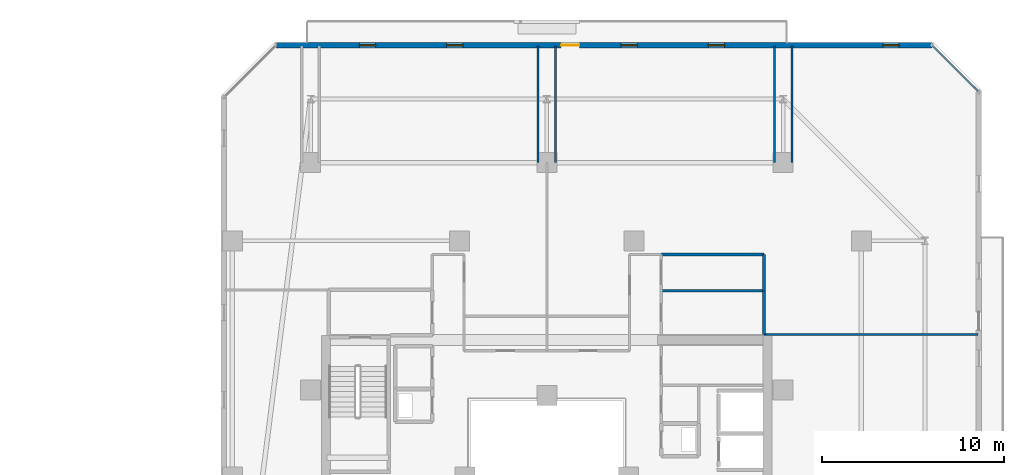
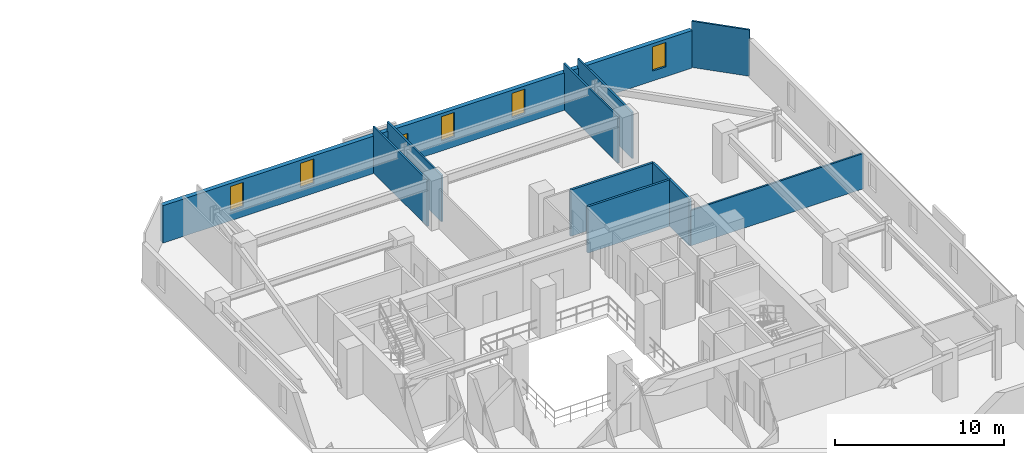
# One storey, part 26 of 33: 11 walls, 5 windows, 1 door, 6 openings.
"""IFC4 building model written with IfcOpenShell, lengths in metres."""

from ifc_helpers import new_model, si_unit, direction, frame, frame_2d, origin, place, context, subcontext, project, spatial, rectangle, extrude, material, layer, layer_set, type_object, element, fill, save


model = new_model("IFC4")

# Units and contexts
model_context = context("Model", 3, precision=1e-05, world=origin(), true_north=direction((0.0, 1.0)))
body_context = subcontext(model_context, "Body", "Model", "MODEL_VIEW")
ifc_project = project(units=[si_unit("LENGTHUNIT", "METRE"), si_unit("AREAUNIT", "SQUARE_METRE"), si_unit("VOLUMEUNIT", "CUBIC_METRE"), si_unit("PLANEANGLEUNIT", "RADIAN"), si_unit("MASSUNIT", "GRAM", prefix="KILO")], contexts=[model_context])

# Site, building, storey
site_placement = place(None, origin())
site = spatial("IfcSite", under=ifc_project, at=site_placement, CompositionType="ELEMENT")
building_placement = place(site_placement, origin())
building = spatial("IfcBuilding", under=site, at=building_placement, Name="Thornwick Lancets Civic Towers", CompositionType="ELEMENT")
storey_placement = place(building_placement, frame((0.0, 0.0, 167.10009765625)))
storey = spatial("IfcBuildingStorey", under=building, at=storey_placement, Name="L44", CompositionType="ELEMENT", Elevation=167.10009765625)

# Wall, openings, door, windows
ifc_material_1 = material(Name="Insulated russet terracotta rainscreen on concrete C40/50", Category="masonry")
ifc_layer_1 = layer(ifc_material_1, 0.300048828125, Name="Insulated russet terracotta rainscreen on concrete C40/50")
ifc_layer_set_1 = layer_set([ifc_layer_1], Name="Insulated russet terracotta rainscreen on concrete C40/50")
wall_type_1 = type_object("IfcWallType", Name="WALL_EXT_RUSSET_300", PredefinedType="STANDARD", material=ifc_layer_set_1)
wall_1_placement = place(storey_placement, frame((109.681396484375, 50.7646484375, 0.0), z_axis=(0.0, 0.0, 1.0), x_axis=(-0.999999999634, -2.7061402e-05, 0.0)))
wall_1 = element("IfcWall", 1, at=wall_1_placement, inside=storey, type_object=wall_type_1, Name="L44 Tower B Terracotta Facade Wall E4", PredefinedType="STANDARD", context=body_context, shape_type="SweptSolid", body=[
    extrude(rectangle(XDim=36.0869140625, YDim=0.300048828125, at=frame_2d((18.04345703125, 0.0))), origin(), (0.0, 0.0, 1.0), 2.699951171875),
])
opening_1_placement = place(wall_1_placement, frame((19.393310546875, 0.0, 0.0)))
opening_1 = element("IfcOpeningElement", 2, at=opening_1_placement, cuts=wall_1, Name="Opening D-BL-L44-BN", PredefinedType="OPENING", context=body_context, shape_type="SweptSolid", body=[
    extrude(rectangle(XDim=1.0, YDim=2.080078125, at=frame_2d((0.5, 1.0400390625))), frame((0.0, 0.16015625, 0.0), z_axis=(0.0, -1.0, 0.0), x_axis=(1.0, 0.0, 0.0)), (0.0, 0.0, 1.0), 0.320068359375),
])
opening_2_placement = place(wall_1_placement, frame((1.800048828125, 0.0, 0.719970703125)))
opening_2 = element("IfcOpeningElement", 3, at=opening_2_placement, cuts=wall_1, Name="Opening WL-01", PredefinedType="OPENING", context=body_context, shape_type="SweptSolid", body=[
    extrude(rectangle(XDim=0.89990234375, YDim=1.75, at=frame_2d((0.449951171875, 0.875))), frame((0.0, 0.16015625, 0.0), z_axis=(0.0, -1.0, 0.0), x_axis=(1.0, 0.0, 0.0)), (0.0, 0.0, 1.0), 0.320068359375),
])
opening_3_placement = place(wall_1_placement, frame((11.39990234375, 0.0, 0.719970703125)))
opening_3 = element("IfcOpeningElement", 4, at=opening_3_placement, cuts=wall_1, Name="Opening WL-01", PredefinedType="OPENING", context=body_context, shape_type="SweptSolid", body=[
    extrude(rectangle(XDim=0.89990234375, YDim=1.75, at=frame_2d((0.449951171875, 0.875))), frame((0.0, 0.16015625, 0.0), z_axis=(0.0, -1.0, 0.0), x_axis=(1.0, 0.0, 0.0)), (0.0, 0.0, 1.0), 0.320068359375),
])
opening_4_placement = place(wall_1_placement, frame((16.199951171875, 0.0, 0.719970703125)))
opening_4 = element("IfcOpeningElement", 5, at=opening_4_placement, cuts=wall_1, Name="Opening WL-01", PredefinedType="OPENING", context=body_context, shape_type="SweptSolid", body=[
    extrude(rectangle(XDim=0.89990234375, YDim=1.75, at=frame_2d((0.449951171875, 0.875))), frame((0.0, 0.16015625, 0.0), z_axis=(0.0, -1.0, 0.0), x_axis=(1.0, 0.0, 0.0)), (0.0, 0.0, 1.0), 0.320068359375),
])
opening_5_placement = place(wall_1_placement, frame((25.800048828125, 0.0, 0.719970703125)))
opening_5 = element("IfcOpeningElement", 6, at=opening_5_placement, cuts=wall_1, Name="Opening WL-01", PredefinedType="OPENING", context=body_context, shape_type="SweptSolid", body=[
    extrude(rectangle(XDim=0.89990234375, YDim=1.75, at=frame_2d((0.449951171875, 0.875))), frame((0.0, 0.16015625, 0.0), z_axis=(0.0, -1.0, 0.0), x_axis=(1.0, 0.0, 0.0)), (0.0, 0.0, 1.0), 0.320068359375),
])
opening_6_placement = place(wall_1_placement, frame((30.60009765625, 0.0, 0.719970703125)))
opening_6 = element("IfcOpeningElement", 7, at=opening_6_placement, cuts=wall_1, Name="Opening WL-01", PredefinedType="OPENING", context=body_context, shape_type="SweptSolid", body=[
    extrude(rectangle(XDim=0.89990234375, YDim=1.75, at=frame_2d((0.449951171875, 0.875))), frame((0.0, 0.16015625, 0.0), z_axis=(0.0, -1.0, 0.0), x_axis=(1.0, 0.0, 0.0)), (0.0, 0.0, 1.0), 0.320068359375),
])
ifc_material_2 = material(Name="Thermally broken glazed loggia doorset")
door_type = type_object("IfcDoorType", Name="DOOR_BALC_1000", OperationType="NOTDEFINED", PredefinedType="DOOR", material=ifc_material_2)
door_placement = place(opening_1_placement, origin())
door = element("IfcDoor", 8, at=door_placement, inside=storey, type_object=door_type, Name="L44 Tower B Loggia Balcony Door N", OperationType="SINGLE_SWING_LEFT", OverallHeight=2.080078125, OverallWidth=1.0, PredefinedType="DOOR", context=body_context, shape_type="SweptSolid", body=[
    extrude(rectangle(XDim=1.0, YDim=2.080078125, at=frame_2d((0.5, 1.0400390625))), frame((0.0, 0.02490234375, 0.0), z_axis=(0.0, -1.0, 0.0), x_axis=(1.0, 0.0, 0.0)), (0.0, 0.0, 1.0), 0.050048828125),
])
fill(opening_1, door)
ifc_material_3 = material(Name="Clear low-e double glazing in bronze frame", Category="glass")
window_type = type_object("IfcWindowType", Name="WIN_LANCET_900", PartitioningType="SINGLE_PANEL", PredefinedType="WINDOW", material=ifc_material_3)
window_1_placement = place(opening_2_placement, origin())
window_1 = element("IfcWindow", 9, at=window_1_placement, inside=storey, type_object=window_type, Name="L44 Tower B Staggered Lancet Window E4-1", OverallHeight=1.75, OverallWidth=0.89990234375, PartitioningType="SINGLE_PANEL", PredefinedType="WINDOW", context=body_context, shape_type="SweptSolid", body=[
    extrude(rectangle(XDim=0.89990234375, YDim=1.75, at=frame_2d((0.449951171875, 0.875))), frame((0.0, 0.030029296875, 0.0), z_axis=(0.0, -1.0, 0.0), x_axis=(1.0, 0.0, 0.0)), (0.0, 0.0, 1.0), 0.06005859375),
])
fill(opening_2, window_1)
window_2_placement = place(opening_3_placement, origin())
window_2 = element("IfcWindow", 10, at=window_2_placement, inside=storey, type_object=window_type, Name="L44 Tower B Staggered Lancet Window E4-2", OverallHeight=1.75, OverallWidth=0.89990234375, PartitioningType="SINGLE_PANEL", PredefinedType="WINDOW", context=body_context, shape_type="SweptSolid", body=[
    extrude(rectangle(XDim=0.89990234375, YDim=1.75, at=frame_2d((0.449951171875, 0.875))), frame((0.0, 0.030029296875, 0.0), z_axis=(0.0, -1.0, 0.0), x_axis=(1.0, 0.0, 0.0)), (0.0, 0.0, 1.0), 0.06005859375),
])
fill(opening_3, window_2)
window_3_placement = place(opening_4_placement, origin())
window_3 = element("IfcWindow", 11, at=window_3_placement, inside=storey, type_object=window_type, Name="L44 Tower B Staggered Lancet Window E4-3", OverallHeight=1.75, OverallWidth=0.89990234375, PartitioningType="SINGLE_PANEL", PredefinedType="WINDOW", context=body_context, shape_type="SweptSolid", body=[
    extrude(rectangle(XDim=0.89990234375, YDim=1.75, at=frame_2d((0.449951171875, 0.875))), frame((0.0, 0.030029296875, 0.0), z_axis=(0.0, -1.0, 0.0), x_axis=(1.0, 0.0, 0.0)), (0.0, 0.0, 1.0), 0.06005859375),
])
fill(opening_4, window_3)
window_4_placement = place(opening_5_placement, origin())
window_4 = element("IfcWindow", 12, at=window_4_placement, inside=storey, type_object=window_type, Name="L44 Tower B Staggered Lancet Window E4-4", OverallHeight=1.75, OverallWidth=0.89990234375, PartitioningType="SINGLE_PANEL", PredefinedType="WINDOW", context=body_context, shape_type="SweptSolid", body=[
    extrude(rectangle(XDim=0.89990234375, YDim=1.75, at=frame_2d((0.449951171875, 0.875))), frame((0.0, 0.030029296875, 0.0), z_axis=(0.0, -1.0, 0.0), x_axis=(1.0, 0.0, 0.0)), (0.0, 0.0, 1.0), 0.06005859375),
])
fill(opening_5, window_4)
window_5_placement = place(opening_6_placement, origin())
window_5 = element("IfcWindow", 13, at=window_5_placement, inside=storey, type_object=window_type, Name="L44 Tower B Staggered Lancet Window E4-5", OverallHeight=1.75, OverallWidth=0.89990234375, PartitioningType="SINGLE_PANEL", PredefinedType="WINDOW", context=body_context, shape_type="SweptSolid", body=[
    extrude(rectangle(XDim=0.89990234375, YDim=1.75, at=frame_2d((0.449951171875, 0.875))), frame((0.0, 0.030029296875, 0.0), z_axis=(0.0, -1.0, 0.0), x_axis=(1.0, 0.0, 0.0)), (0.0, 0.0, 1.0), 0.06005859375),
])
fill(opening_6, window_5)

# Walls
ifc_material_4 = material(Name="Acoustic gypsum board partition")
ifc_layer_2 = layer(ifc_material_4, 0.1201171875, Name="Acoustic gypsum board partition")
ifc_layer_set_2 = layer_set([ifc_layer_2], Name="Acoustic gypsum board partition")
wall_type_2 = type_object("IfcWallType", Name="WALL_PART_120", PredefinedType="PARTITIONING", material=ifc_layer_set_2)
for number, where, z_axis, x_axis, name in (
    (14, (88.97998046875, 44.300048828125, 0.0), (0.0, 0.0, 1.0), (0.0, 1.0, 0.0), "L44 Partition L44-B-E2 E9"),
    (15, (101.02001953125, 50.719970703125, 0.0), (0.0, 0.0, 1.0), (0.0, -1.0, 0.0), "L44 Partition L44-B-E2 E11"),
    (16, (101.97998046875, 44.300048828125, 0.0), (0.0, 0.0, 1.0), (0.0, 1.0, 0.0), "L44 Partition L44-B-E2 E13"),
):
    element("IfcWall", number, at=place(storey_placement, frame(where, z_axis=z_axis, x_axis=x_axis)), inside=storey, type_object=wall_type_2, Name=name, PredefinedType="PARTITIONING", context=body_context, shape_type="SweptSolid", body=[
        extrude(rectangle(XDim=6.419921875, YDim=0.1201171875, at=frame_2d((3.2099609375, 0.0))), origin(), (0.0, 0.0, 1.0), 3.33984375),
    ])
wall_2_placement = place(storey_placement, frame((109.725341796875, 50.719970703125, 0.0), z_axis=(0.0, 0.0, 1.0), x_axis=(0.707106781187, -0.707106781187, 0.0)))
element("IfcWall", 17, at=wall_2_placement, inside=storey, type_object=wall_type_2, Name="L44 Partition L44-B-E2 E15", PredefinedType="PARTITIONING", context=body_context, shape_type="SweptSolid", body=[
    extrude(rectangle(XDim=3.52783203125, YDim=0.1201171875, at=frame_2d((1.763916015625, 0.0))), origin(), (0.0, 0.0, 1.0), 3.33984375),
])
wall_3_placement = place(storey_placement, frame((112.219970703125, 34.85009765625, 0.0), z_axis=(0.0, 0.0, 1.0), x_axis=(-1.0, 0.0, 0.0)))
element("IfcWall", 18, at=wall_3_placement, inside=storey, type_object=wall_type_2, Name="L44 Partition L44-B-E2 E17", PredefinedType="PARTITIONING", context=body_context, shape_type="SweptSolid", body=[
    extrude(rectangle(XDim=11.77001953125, YDim=0.1201171875, at=frame_2d((5.885009765625, 0.0))), origin(), (0.0, 0.0, 1.0), 2.544921875),
])
wall_4_placement = place(storey_placement, frame((88.02001953125, 50.719970703125, 0.0), z_axis=(0.0, 0.0, 1.0), x_axis=(0.0, -1.0, 0.0)))
element("IfcWall", 19, at=wall_4_placement, inside=storey, type_object=wall_type_2, Name="L44 Partition L44-B-E4 E18", PredefinedType="PARTITIONING", context=body_context, shape_type="SweptSolid", body=[
    extrude(rectangle(XDim=6.419921875, YDim=0.1201171875, at=frame_2d((3.2099609375, 0.0))), origin(), (0.0, 0.0, 1.0), 3.33984375),
])
ifc_material_5 = material(Name="Twin-stud acoustic gypsum board")
ifc_layer_3 = layer(ifc_material_5, 0.14990234375, Name="Twin-stud acoustic gypsum board")
ifc_layer_set_3 = layer_set([ifc_layer_3], Name="Twin-stud acoustic gypsum board")
wall_type_3 = type_object("IfcWallType", Name="WALL_PART_150", PredefinedType="PARTITIONING", material=ifc_layer_set_3)
wall_5_placement = place(storey_placement, frame((100.449951171875, 37.25, 0.0), z_axis=(0.0, 0.0, 1.0), x_axis=(0.0, -1.0, 0.0)))
element("IfcWall", 20, at=wall_5_placement, inside=storey, type_object=wall_type_3, Name="L44 Partition L44-B-RECLAIM-L1 E1", PredefinedType="PARTITIONING", context=body_context, shape_type="SweptSolid", body=[
    extrude(rectangle(XDim=2.39990234375, YDim=0.14990234375, at=frame_2d((1.199951171875, 0.0))), origin(), (0.0, 0.0, 1.0), 3.33984375),
])
for number, where, z_axis, x_axis, name in (
    (21, (94.800048828125, 37.25, 0.0), (0.0, 0.0, 1.0), (1.0, 0.0, 0.0), "L44 Partition L44-B-RECLAIM-L1 E4"),
    (22, (94.800048828125, 39.25, 0.0), (0.0, 0.0, 1.0), (1.0, 0.0, 0.0), "L44 Partition L44-B-RECLAIM-L2 E2"),
):
    element("IfcWall", number, at=place(storey_placement, frame(where, z_axis=z_axis, x_axis=x_axis)), inside=storey, type_object=wall_type_3, Name=name, PredefinedType="PARTITIONING", context=body_context, shape_type="SweptSolid", body=[
        extrude(rectangle(XDim=5.64990234375, YDim=0.14990234375, at=frame_2d((2.824951171875, 0.0))), origin(), (0.0, 0.0, 1.0), 3.33984375),
    ])
wall_6_placement = place(storey_placement, frame((100.449951171875, 39.25, 0.0), z_axis=(0.0, 0.0, 1.0), x_axis=(0.0, -1.0, 0.0)))
element("IfcWall", 23, at=wall_6_placement, inside=storey, type_object=wall_type_3, Name="L44 Partition L44-B-RECLAIM-L2 E3", PredefinedType="PARTITIONING", context=body_context, shape_type="SweptSolid", body=[
    extrude(rectangle(XDim=2.0, YDim=0.14990234375, at=frame_2d((1.0, 0.0))), origin(), (0.0, 0.0, 1.0), 3.33984375),
])

save(model, "model.ifc")
